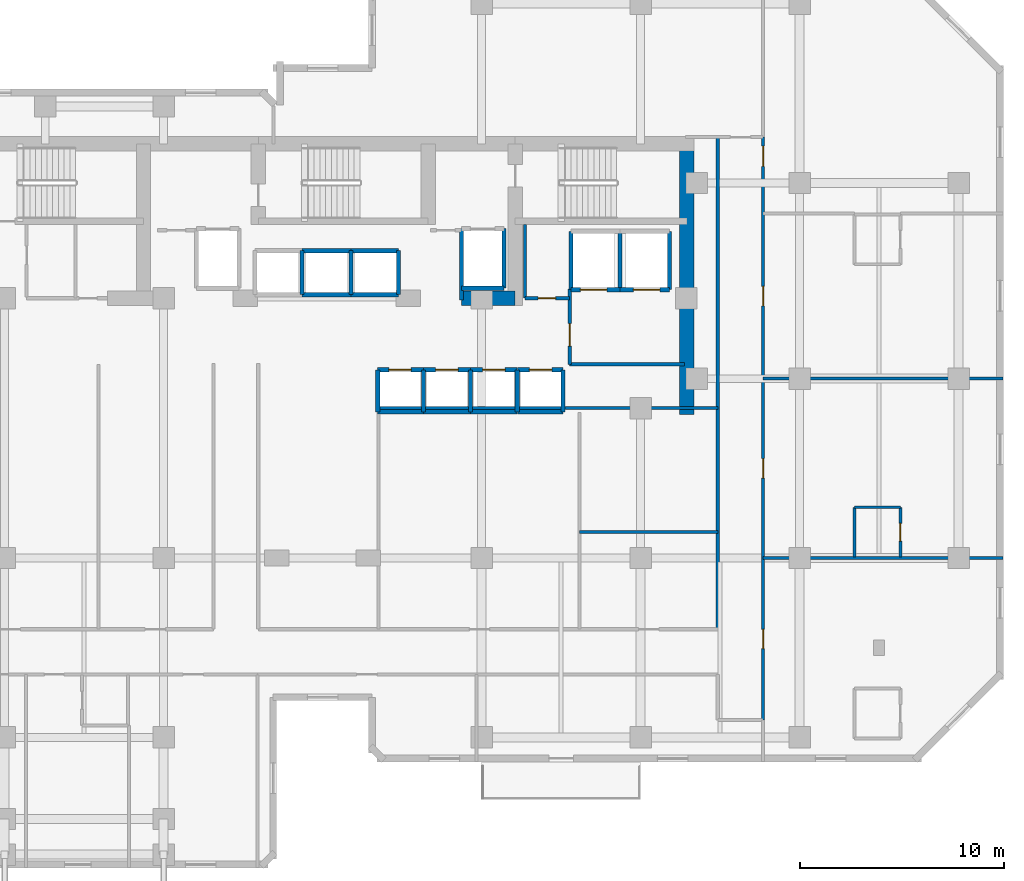
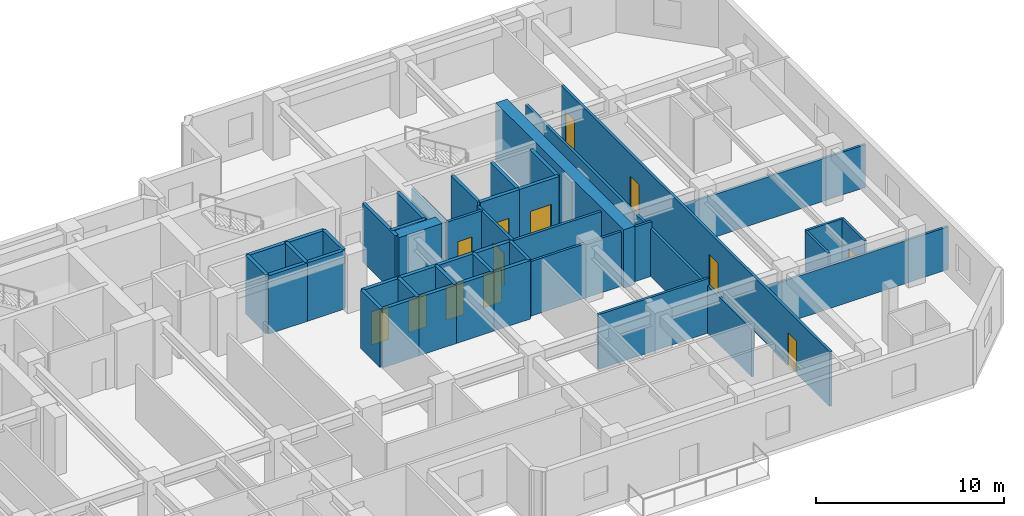
# One storey, part 7 of 11: 43 walls, 13 doors, 13 openings.
"""IFC4 building model written with IfcOpenShell, lengths in metres."""

from ifc_helpers import new_model, si_unit, direction, frame, frame_2d, origin, place, context, subcontext, project, spatial, rectangle, extrude, material, layer, layer_set, type_object, element, fill, save


model = new_model("IFC4")

# Units and contexts
model_context = context("Model", 3, precision=1e-05, world=origin(), true_north=direction((0.0, 1.0)))
body_context = subcontext(model_context, "Body", "Model", "MODEL_VIEW")
ifc_project = project(units=[si_unit("LENGTHUNIT", "METRE"), si_unit("AREAUNIT", "SQUARE_METRE"), si_unit("VOLUMEUNIT", "CUBIC_METRE"), si_unit("PLANEANGLEUNIT", "RADIAN"), si_unit("MASSUNIT", "GRAM", prefix="KILO")], contexts=[model_context])

# Site, building, storey
site_placement = place(None, origin())
site = spatial("IfcSite", under=ifc_project, at=site_placement, CompositionType="ELEMENT")
building_placement = place(site_placement, origin())
building = spatial("IfcBuilding", under=site, at=building_placement, Name="Kestravale Grand Hotel", CompositionType="ELEMENT")
storey_placement = place(building_placement, frame((0.0, 0.0, 161.199951171875)))
storey = spatial("IfcBuildingStorey", under=building, at=storey_placement, Name="L40", CompositionType="ELEMENT", Elevation=161.199951171875)

# Walls
ifc_material_1 = material(Name="Concrete f'c 60 MPa", Category="concrete")
ifc_layer_1 = layer(ifc_material_1, 0.699951171875)
ifc_layer_set_1 = layer_set([ifc_layer_1], Name="EW-CORE-700")
wall_type_1 = type_object("IfcWallType", Name="EW-CORE-700", PredefinedType="SHEAR", material=ifc_layer_set_1)
wall_1_placement = place(storey_placement, frame((56.8701171875, 27.050048828125, 0.0), z_axis=(0.0, 0.0, 1.0), x_axis=(0.0, 1.0, 0.0)))
element("IfcWall", 1, at=wall_1_placement, inside=storey, type_object=wall_type_1, Name="L40 core shear wall E1", PredefinedType="SHEAR", context=body_context, shape_type="SweptSolid", body=[
    extrude(rectangle(XDim=13.619873046875, YDim=0.699951171875, at=frame_2d((6.81005859375, 0.0))), origin(), (0.0, 0.0, 1.0), 3.800048828125),
])
wall_2_placement = place(storey_placement, frame((45.81005859375, 32.75, 0.0), z_axis=(0.0, 0.0, 1.0), x_axis=(1.0, 0.0, 0.0)))
element("IfcWall", 2, at=wall_2_placement, inside=storey, type_object=wall_type_1, Name="L40 core shear wall S2", PredefinedType="SHEAR", context=body_context, shape_type="SweptSolid", body=[
    extrude(rectangle(XDim=2.639892578125, YDim=0.699951171875, at=frame_2d((1.31982421875, 0.0))), origin(), (0.0, 0.0, 1.0), 3.800048828125),
])

# Wall, opening, door
ifc_material_2 = material(Name="Acoustic fire-rated gypsum board partition", Category="other")
ifc_layer_2 = layer(ifc_material_2, 0.159912109375)
ifc_layer_set_2 = layer_set([ifc_layer_2], Name="IW-CORR-160")
wall_type_2 = type_object("IfcWallType", Name="IW-CORR-160", PredefinedType="PARTITIONING", material=ifc_layer_set_2)
wall_3_placement = place(storey_placement, frame((51.1201171875, 29.5, 0.0), z_axis=(0.0, 0.0, 1.0), x_axis=(0.0, 1.0, 0.0)))
wall_3 = element("IfcWall", 3, at=wall_3_placement, inside=storey, type_object=wall_type_2, Name="W-L40-SVCLOB-W", PredefinedType="PARTITIONING", context=body_context, shape_type="SweptSolid", body=[
    extrude(rectangle(XDim=3.699951171875, YDim=0.159912109375, at=frame_2d((1.85009765625, 0.0))), origin(), (0.0, 0.0, 1.0), 3.550048828125),
])
opening_1_placement = place(wall_3_placement, frame((0.89990234375, 0.0, 0.0)))
opening_1 = element("IfcOpeningElement", 4, at=opening_1_placement, cuts=wall_3, Name="Opening D-CORR-1100", PredefinedType="OPENING", context=body_context, shape_type="SweptSolid", body=[
    extrude(rectangle(XDim=1.10009765625, YDim=2.14990234375, at=frame_2d((0.550048828125, 1.074951171875))), frame((0.0, 0.08984375, 0.0), z_axis=(0.0, -1.0, 0.0), x_axis=(1.0, 0.0, 0.0)), (0.0, 0.0, 1.0), 0.179931640625),
])
ifc_material_3 = material(Name="Single-leaf service vestibule fire door", Category="steel")
door_type_1 = type_object("IfcDoorType", Name="D-CORR-1100", OperationType="NOTDEFINED", PredefinedType="DOOR", material=ifc_material_3)
door_1_placement = place(opening_1_placement, origin())
door_1 = element("IfcDoor", 5, at=door_1_placement, inside=storey, type_object=door_type_1, Name="L40 service lift lobby door", OperationType="SINGLE_SWING_LEFT", OverallHeight=2.14990234375, OverallWidth=1.10009765625, PredefinedType="DOOR", context=body_context, shape_type="SweptSolid", body=[
    extrude(rectangle(XDim=1.10009765625, YDim=2.14990234375, at=frame_2d((0.550048828125, 1.074951171875))), frame((0.0, 0.02490234375, 0.0), z_axis=(0.0, -1.0, 0.0), x_axis=(1.0, 0.0, 0.0)), (0.0, 0.0, 1.0), 0.050048828125),
])
fill(opening_1, door_1)

# Wall
wall_4_placement = place(storey_placement, frame((51.1201171875, 29.5, 0.0), z_axis=(0.0, 0.0, 1.0), x_axis=(1.0, 0.0, 0.0)))
element("IfcWall", 6, at=wall_4_placement, inside=storey, type_object=wall_type_2, Name="L40 service lift lobby wall", PredefinedType="PARTITIONING", context=body_context, shape_type="SweptSolid", body=[
    extrude(rectangle(XDim=5.6298828125, YDim=0.159912109375, at=frame_2d((2.81494140625, 0.0))), origin(), (0.0, 0.0, 1.0), 3.550048828125),
])

# Wall, opening, door
wall_5_placement = place(storey_placement, frame((48.919921875, 32.75, 0.0), z_axis=(0.0, 0.0, 1.0), x_axis=(1.0, 0.0, 0.0)))
wall_5 = element("IfcWall", 7, at=wall_5_placement, inside=storey, type_object=wall_type_2, Name="W-L40-CES", PredefinedType="PARTITIONING", context=body_context, shape_type="SweptSolid", body=[
    extrude(rectangle(XDim=2.2001953125, YDim=0.159912109375, at=frame_2d((1.10009765625, 0.0))), origin(), (0.0, 0.0, 1.0), 3.550048828125),
])
opening_2_placement = place(wall_5_placement, frame((0.64990234375, 0.0, 0.0)))
opening_2 = element("IfcOpeningElement", 8, at=opening_2_placement, cuts=wall_5, Name="Opening D-SH-860", PredefinedType="OPENING", context=body_context, shape_type="SweptSolid", body=[
    extrude(rectangle(XDim=0.860107421875, YDim=2.050048828125, at=frame_2d((0.43017578125, 1.02490234375))), frame((0.0, 0.08984375, 0.0), z_axis=(0.0, -1.0, 0.0), x_axis=(1.0, 0.0, 0.0)), (0.0, 0.0, 1.0), 0.179931640625),
])
ifc_material_4 = material(Name="Galvanised 90-minute riser fire door", Category="steel")
door_type_2 = type_object("IfcDoorType", Name="D-SH-860", OperationType="NOTDEFINED", PredefinedType="DOOR", material=ifc_material_4)
door_2_placement = place(opening_2_placement, origin())
door_2 = element("IfcDoor", 9, at=door_2_placement, inside=storey, type_object=door_type_2, Name="L40 CSTO1 door", OperationType="SINGLE_SWING_RIGHT", OverallHeight=2.050048828125, OverallWidth=0.860107421875, PredefinedType="DOOR", context=body_context, shape_type="SweptSolid", body=[
    extrude(rectangle(XDim=0.860107421875, YDim=2.050048828125, at=frame_2d((0.43017578125, 1.02490234375))), frame((0.0, 0.02490234375, 0.0), z_axis=(0.0, -1.0, 0.0), x_axis=(1.0, 0.0, 0.0)), (0.0, 0.0, 1.0), 0.050048828125),
])
fill(opening_2, door_2)

# Wall, openings, doors
wall_6_placement = place(storey_placement, frame((60.610107421875, 12.050048828125, 0.0), z_axis=(0.0, 0.0, 1.0), x_axis=(0.0, 1.0, 0.0)))
wall_6 = element("IfcWall", 10, at=wall_6_placement, inside=storey, type_object=wall_type_2, Name="W-L40-SE-E", PredefinedType="PARTITIONING", context=body_context, shape_type="SweptSolid", body=[
    extrude(rectangle(XDim=28.599853515625, YDim=0.159912109375, at=frame_2d((14.2998046875, 0.0))), origin(), (0.0, 0.0, 1.0), 3.550048828125),
])
opening_3_placement = place(wall_6_placement, frame((3.5, 0.0, 0.0)))
opening_3 = element("IfcOpeningElement", 11, at=opening_3_placement, cuts=wall_6, Name="Opening D-GUEST-950", PredefinedType="OPENING", context=body_context, shape_type="SweptSolid", body=[
    extrude(rectangle(XDim=0.949951171875, YDim=2.10009765625, at=frame_2d((0.47509765625, 1.050048828125))), frame((0.0, 0.08984375, 0.0), z_axis=(0.0, -1.0, 0.0), x_axis=(1.0, 0.0, 0.0)), (0.0, 0.0, 1.0), 0.179931640625),
])
opening_4_placement = place(wall_6_placement, frame((11.875, 0.0, 0.0)))
opening_4 = element("IfcOpeningElement", 12, at=opening_4_placement, cuts=wall_6, Name="Opening D-GUEST-950", PredefinedType="OPENING", context=body_context, shape_type="SweptSolid", body=[
    extrude(rectangle(XDim=0.949951171875, YDim=2.10009765625, at=frame_2d((0.47509765625, 1.050048828125))), frame((0.0, 0.08984375, 0.0), z_axis=(0.0, -1.0, 0.0), x_axis=(1.0, 0.0, 0.0)), (0.0, 0.0, 1.0), 0.179931640625),
])
opening_5_placement = place(wall_6_placement, frame((20.324951171875, 0.0, 0.0)))
opening_5 = element("IfcOpeningElement", 13, at=opening_5_placement, cuts=wall_6, Name="Opening D-GUEST-950", PredefinedType="OPENING", context=body_context, shape_type="SweptSolid", body=[
    extrude(rectangle(XDim=0.949951171875, YDim=2.10009765625, at=frame_2d((0.47509765625, 1.050048828125))), frame((0.0, 0.08984375, 0.0), z_axis=(0.0, -1.0, 0.0), x_axis=(1.0, 0.0, 0.0)), (0.0, 0.0, 1.0), 0.179931640625),
])
opening_6_placement = place(wall_6_placement, frame((27.159912109375, 0.0, 0.0)))
opening_6 = element("IfcOpeningElement", 14, at=opening_6_placement, cuts=wall_6, Name="Opening D-GUEST-1000", PredefinedType="OPENING", context=body_context, shape_type="SweptSolid", body=[
    extrude(rectangle(XDim=1.0, YDim=2.14990234375, at=frame_2d((0.5, 1.074951171875))), frame((0.0, 0.08984375, 0.0), z_axis=(0.0, -1.0, 0.0), x_axis=(1.0, 0.0, 0.0)), (0.0, 0.0, 1.0), 0.179931640625),
])
ifc_material_5 = material(Name="Accessible walnut veneer hotel entrance fire door", Category="wood")
door_type_3 = type_object("IfcDoorType", Name="D-GUEST-1000", OperationType="NOTDEFINED", PredefinedType="DOOR", material=ifc_material_5)
door_3_placement = place(opening_6_placement, origin())
door_3 = element("IfcDoor", 15, at=door_3_placement, inside=storey, type_object=door_type_3, Name="D-L40-AMEW", OperationType="SINGLE_SWING_RIGHT", OverallHeight=2.14990234375, OverallWidth=1.0, PredefinedType="DOOR", context=body_context, shape_type="SweptSolid", body=[
    extrude(rectangle(XDim=1.0, YDim=2.14990234375, at=frame_2d((0.5, 1.074951171875))), frame((0.0, 0.02490234375, 0.0), z_axis=(0.0, -1.0, 0.0), x_axis=(1.0, 0.0, 0.0)), (0.0, 0.0, 1.0), 0.050048828125),
])
fill(opening_6, door_3)
ifc_material_6 = material(Name="Walnut veneer hotel guestroom entrance fire door", Category="wood")
door_type_4 = type_object("IfcDoorType", Name="D-GUEST-950", OperationType="NOTDEFINED", PredefinedType="DOOR", material=ifc_material_6)
door_4_placement = place(opening_3_placement, origin())
door_4 = element("IfcDoor", 16, at=door_4_placement, inside=storey, type_object=door_type_4, Name="D-L40-U06-ENT", OperationType="SINGLE_SWING_LEFT", OverallHeight=2.10009765625, OverallWidth=0.949951171875, PredefinedType="DOOR", context=body_context, shape_type="SweptSolid", body=[
    extrude(rectangle(XDim=0.949951171875, YDim=2.10009765625, at=frame_2d((0.47509765625, 1.050048828125))), frame((0.0, 0.02490234375, 0.0), z_axis=(0.0, -1.0, 0.0), x_axis=(1.0, 0.0, 0.0)), (0.0, 0.0, 1.0), 0.050048828125),
])
fill(opening_3, door_4)
door_5_placement = place(opening_4_placement, origin())
door_5 = element("IfcDoor", 17, at=door_5_placement, inside=storey, type_object=door_type_4, Name="D-L40-U07-ENT", OperationType="SINGLE_SWING_LEFT", OverallHeight=2.10009765625, OverallWidth=0.949951171875, PredefinedType="DOOR", context=body_context, shape_type="SweptSolid", body=[
    extrude(rectangle(XDim=0.949951171875, YDim=2.10009765625, at=frame_2d((0.47509765625, 1.050048828125))), frame((0.0, 0.02490234375, 0.0), z_axis=(0.0, -1.0, 0.0), x_axis=(1.0, 0.0, 0.0)), (0.0, 0.0, 1.0), 0.050048828125),
])
fill(opening_4, door_5)
door_6_placement = place(opening_5_placement, origin())
door_6 = element("IfcDoor", 18, at=door_6_placement, inside=storey, type_object=door_type_4, Name="D-L40-U08-ENT", OperationType="SINGLE_SWING_LEFT", OverallHeight=2.10009765625, OverallWidth=0.949951171875, PredefinedType="DOOR", context=body_context, shape_type="SweptSolid", body=[
    extrude(rectangle(XDim=0.949951171875, YDim=2.10009765625, at=frame_2d((0.47509765625, 1.050048828125))), frame((0.0, 0.02490234375, 0.0), z_axis=(0.0, -1.0, 0.0), x_axis=(1.0, 0.0, 0.0)), (0.0, 0.0, 1.0), 0.050048828125),
])
fill(opening_5, door_6)

# Walls
wall_7_placement = place(storey_placement, frame((58.389892578125, 16.510009765625, 0.0), z_axis=(0.0, 0.0, 1.0), x_axis=(0.0, 1.0, 0.0)))
element("IfcWall", 19, at=wall_7_placement, inside=storey, type_object=wall_type_2, Name="W-L40-SE-WU", PredefinedType="PARTITIONING", context=body_context, shape_type="SweptSolid", body=[
    extrude(rectangle(XDim=24.139892578125, YDim=0.159912109375, at=frame_2d((12.06982421875, 0.0))), origin(), (0.0, 0.0, 1.0), 3.093017578125),
])
ifc_material_7 = material(Name="Moisture-resistant tile-backer plumbing chase wall", Category="other")
ifc_layer_3 = layer(ifc_material_7, 0.139892578125)
ifc_layer_set_3 = layer_set([ifc_layer_3], Name="IW-PLB-140")
wall_type_3 = type_object("IfcWallType", Name="IW-PLB-140", PredefinedType="PLUMBINGWALL", material=ifc_layer_set_3)
wall_8_placement = place(storey_placement, frame((65.10009765625, 20.0400390625, 0.0), z_axis=(0.0, 0.0, 1.0), x_axis=(0.0, 1.0, 0.0)))
element("IfcWall", 20, at=wall_8_placement, inside=storey, type_object=wall_type_3, Name="W-L40-U07-BW", PredefinedType="PLUMBINGWALL", context=body_context, shape_type="SweptSolid", body=[
    extrude(rectangle(XDim=2.449951171875, YDim=0.139892578125, at=frame_2d((1.22509765625, 0.0))), origin(), (0.0, 0.0, 1.0), 3.550048828125),
])

# Wall, opening, door
wall_9_placement = place(storey_placement, frame((67.35009765625, 20.0400390625, 0.0), z_axis=(0.0, 0.0, 1.0), x_axis=(0.0, 1.0, 0.0)))
wall_9 = element("IfcWall", 21, at=wall_9_placement, inside=storey, type_object=wall_type_3, Name="W-L40-U07-BE", PredefinedType="PLUMBINGWALL", context=body_context, shape_type="SweptSolid", body=[
    extrude(rectangle(XDim=2.449951171875, YDim=0.139892578125, at=frame_2d((1.22509765625, 0.0))), origin(), (0.0, 0.0, 1.0), 3.550048828125),
])
opening_7_placement = place(wall_9_placement, frame((0.784912109375, 0.0, 0.0)))
opening_7 = element("IfcOpeningElement", 22, at=opening_7_placement, cuts=wall_9, Name="Opening D-BATH-880", PredefinedType="OPENING", context=body_context, shape_type="SweptSolid", body=[
    extrude(rectangle(XDim=0.8798828125, YDim=2.050048828125, at=frame_2d((0.43994140625, 1.02490234375))), frame((0.0, 0.079833984375, 0.0), z_axis=(0.0, -1.0, 0.0), x_axis=(1.0, 0.0, 0.0)), (0.0, 0.0, 1.0), 0.159912109375),
])
ifc_material_8 = material(Name="Moisture-sealed walnut en-suite bathroom door", Category="wood")
door_type_5 = type_object("IfcDoorType", Name="D-BATH-880", OperationType="NOTDEFINED", PredefinedType="DOOR", material=ifc_material_8)
door_7_placement = place(opening_7_placement, origin())
door_7 = element("IfcDoor", 23, at=door_7_placement, inside=storey, type_object=door_type_5, Name="D-L40-U07-BATH", OperationType="SINGLE_SWING_RIGHT", OverallHeight=2.050048828125, OverallWidth=0.8798828125, PredefinedType="DOOR", context=body_context, shape_type="SweptSolid", body=[
    extrude(rectangle(XDim=0.8798828125, YDim=2.050048828125, at=frame_2d((0.43994140625, 1.02490234375))), frame((0.0, 0.02490234375, 0.0), z_axis=(0.0, -1.0, 0.0), x_axis=(1.0, 0.0, 0.0)), (0.0, 0.0, 1.0), 0.050048828125),
])
fill(opening_7, door_7)

# Walls
wall_10_placement = place(storey_placement, frame((65.10009765625, 22.489990234375, 0.0), z_axis=(0.0, 0.0, 1.0), x_axis=(1.0, 0.0, 0.0)))
element("IfcWall", 24, at=wall_10_placement, inside=storey, type_object=wall_type_3, Name="W-L40-U07-BN", PredefinedType="PLUMBINGWALL", context=body_context, shape_type="SweptSolid", body=[
    extrude(rectangle(XDim=2.25, YDim=0.139892578125, at=frame_2d((1.125, 0.0))), origin(), (0.0, 0.0, 1.0), 3.550048828125),
])
ifc_material_9 = material(Name="Concrete f'c 45 MPa", Category="concrete")
ifc_layer_4 = layer(ifc_material_9, 0.199951171875)
ifc_layer_set_4 = layer_set([ifc_layer_4], Name="IW-SHAFT-200")
wall_type_4 = type_object("IfcWallType", Name="IW-SHAFT-200", PredefinedType="SHEAR", material=ifc_layer_set_4)
for number, where, z_axis, x_axis, name in (
    (25, (41.705078125, 27.169921875, 0.0), (0.0, 0.0, 1.0), (0.0, 1.0, 0.0), "L40 PL-M1 west shaft wall"),
    (26, (43.949951171875, 27.169921875, 0.0), (0.0, 0.0, 1.0), (0.0, 1.0, 0.0), "L40 PL-M2 west shaft wall"),
    (27, (46.25, 27.169921875, 0.0), (0.0, 0.0, 1.0), (0.0, 1.0, 0.0), "L40 PL-M3 west shaft wall"),
    (28, (48.550048828125, 27.169921875, 0.0), (0.0, 0.0, 1.0), (0.0, 1.0, 0.0), "L40 PL-M4 west shaft wall"),
    (29, (50.794921875, 27.169921875, 0.0), (0.0, 0.0, 1.0), (0.0, 1.0, 0.0), "L40 PL-M4 east shaft wall"),
):
    element("IfcWall", number, at=place(storey_placement, frame(where, z_axis=z_axis, x_axis=x_axis)), inside=storey, type_object=wall_type_4, Name=name, PredefinedType="SHEAR", context=body_context, shape_type="SweptSolid", body=[
        extrude(rectangle(XDim=2.06005859375, YDim=0.199951171875, at=frame_2d((1.030029296875, 0.0))), origin(), (0.0, 0.0, 1.0), 3.800048828125),
    ])
for number, where, z_axis, x_axis, name in (
    (30, (38.0, 32.919921875, 0.0), (0.0, 0.0, 1.0), (0.0, 1.0, 0.0), "L40 PL-X2 west shaft wall"),
    (31, (40.39990234375, 32.919921875, 0.0), (0.0, 0.0, 1.0), (0.0, 1.0, 0.0), "L40 PL-X3 west shaft wall"),
    (32, (42.719970703125, 32.919921875, 0.0), (0.0, 0.0, 1.0), (0.0, 1.0, 0.0), "L40 PL-X3 east shaft wall"),
):
    element("IfcWall", number, at=place(storey_placement, frame(where, z_axis=z_axis, x_axis=x_axis)), inside=storey, type_object=wall_type_4, Name=name, PredefinedType="SHEAR", context=body_context, shape_type="SweptSolid", body=[
        extrude(rectangle(XDim=2.16015625, YDim=0.199951171875, at=frame_2d((1.080078125, 0.0))), origin(), (0.0, 0.0, 1.0), 3.800048828125),
    ])
for number, where, z_axis, x_axis, name in (
    (33, (51.179931640625, 33.169921875, 0.0), (0.0, 0.0, 1.0), (0.0, 1.0, 0.0), "L40 SL-1 west shaft wall"),
    (34, (53.60009765625, 33.169921875, 0.0), (0.0, 0.0, 1.0), (0.0, 1.0, 0.0), "L40 SL-2 west shaft wall"),
    (35, (56.02001953125, 33.169921875, 0.0), (0.0, 0.0, 1.0), (0.0, 1.0, 0.0), "L40 SL-2 east shaft wall"),
):
    element("IfcWall", number, at=place(storey_placement, frame(where, z_axis=z_axis, x_axis=x_axis)), inside=storey, type_object=wall_type_4, Name=name, PredefinedType="SHEAR", context=body_context, shape_type="SweptSolid", body=[
        extrude(rectangle(XDim=2.860107421875, YDim=0.199951171875, at=frame_2d((1.43017578125, 0.0))), origin(), (0.0, 0.0, 1.0), 3.800048828125),
    ])
wall_11_placement = place(storey_placement, frame((45.804931640625, 32.64990234375, 0.0), z_axis=(0.0, 0.0, 1.0), x_axis=(0.0, 1.0, 0.0)))
element("IfcWall", 36, at=wall_11_placement, inside=storey, type_object=wall_type_4, Name="L40 FL-2 west shaft wall", PredefinedType="SHEAR", context=body_context, shape_type="SweptSolid", body=[
    extrude(rectangle(XDim=3.505126953125, YDim=0.199951171875, at=frame_2d((1.75244140625, 0.0))), origin(), (0.0, 0.0, 1.0), 3.800048828125),
])
wall_12_placement = place(storey_placement, frame((47.89501953125, 33.2451171875, 0.0), z_axis=(0.0, 0.0, 1.0), x_axis=(0.0, 1.0, 0.0)))
element("IfcWall", 37, at=wall_12_placement, inside=storey, type_object=wall_type_4, Name="L40 FL-2 east shaft wall", PredefinedType="SHEAR", context=body_context, shape_type="SweptSolid", body=[
    extrude(rectangle(XDim=2.909912109375, YDim=0.199951171875, at=frame_2d((1.455078125, 0.0))), origin(), (0.0, 0.0, 1.0), 3.800048828125),
])

# Wall, opening, door
ifc_material_10 = material(Name="Concrete f'c 45 MPa", Category="concrete")
ifc_layer_5 = layer(ifc_material_10, 0.219970703125)
ifc_layer_set_5 = layer_set([ifc_layer_5], Name="IW-SHAFT-220")
wall_type_5 = type_object("IfcWallType", Name="IW-SHAFT-220", PredefinedType="SHEAR", material=ifc_layer_set_5)
wall_13_placement = place(storey_placement, frame((41.705078125, 29.22998046875, 0.0), z_axis=(0.0, 0.0, 1.0), x_axis=(1.0, 0.0, 0.0)))
wall_13 = element("IfcWall", 38, at=wall_13_placement, inside=storey, type_object=wall_type_5, Name="L40 PL-M1 north shaft wall", PredefinedType="SHEAR", context=body_context, shape_type="SweptSolid", body=[
    extrude(rectangle(XDim=2.244873046875, YDim=0.219970703125, at=frame_2d((1.12255859375, 0.0))), origin(), (0.0, 0.0, 1.0), 3.800048828125),
])
opening_8_placement = place(wall_13_placement, frame((0.544921875, 0.0, 0.0)))
opening_8 = element("IfcOpeningElement", 39, at=opening_8_placement, cuts=wall_13, Name="Opening LD-PAX-1100", PredefinedType="OPENING", context=body_context, shape_type="SweptSolid", body=[
    extrude(rectangle(XDim=1.10009765625, YDim=2.14990234375, at=frame_2d((0.550048828125, 1.074951171875))), frame((0.0, 0.119873046875, 0.0), z_axis=(0.0, -1.0, 0.0), x_axis=(1.0, 0.0, 0.0)), (0.0, 0.0, 1.0), 0.239990234375),
])
ifc_material_11 = material(Name="Champagne-bronze center-opening sliding elevator landing door", Category="steel")
door_type_6 = type_object("IfcDoorType", Name="LD-PAX-1100", OperationType="NOTDEFINED", PredefinedType="DOOR", material=ifc_material_11)
door_8_placement = place(opening_8_placement, origin())
door_8 = element("IfcDoor", 40, at=door_8_placement, inside=storey, type_object=door_type_6, Name="L40 PL-M1 elevator landing sliding door", OperationType="DOUBLE_DOOR_SLIDING", OverallHeight=2.14990234375, OverallWidth=1.10009765625, PredefinedType="DOOR", context=body_context, shape_type="SweptSolid", body=[
    extrude(rectangle(XDim=1.10009765625, YDim=2.14990234375, at=frame_2d((0.550048828125, 1.074951171875))), frame((0.0, 0.02490234375, 0.0), z_axis=(0.0, -1.0, 0.0), x_axis=(1.0, 0.0, 0.0)), (0.0, 0.0, 1.0), 0.050048828125),
])
fill(opening_8, door_8)

# Wall
wall_14_placement = place(storey_placement, frame((41.705078125, 27.169921875, 0.0), z_axis=(0.0, 0.0, 1.0), x_axis=(1.0, 0.0, 0.0)))
element("IfcWall", 41, at=wall_14_placement, inside=storey, type_object=wall_type_5, Name="L40 PL-M1 south shaft wall", PredefinedType="SHEAR", context=body_context, shape_type="SweptSolid", body=[
    extrude(rectangle(XDim=2.244873046875, YDim=0.219970703125, at=frame_2d((1.12255859375, 0.0))), origin(), (0.0, 0.0, 1.0), 3.800048828125),
])

# Wall, opening, door
wall_15_placement = place(storey_placement, frame((43.949951171875, 29.22998046875, 0.0), z_axis=(0.0, 0.0, 1.0), x_axis=(1.0, 0.0, 0.0)))
wall_15 = element("IfcWall", 42, at=wall_15_placement, inside=storey, type_object=wall_type_5, Name="L40 PL-M2 north shaft wall", PredefinedType="SHEAR", context=body_context, shape_type="SweptSolid", body=[
    extrude(rectangle(XDim=2.300048828125, YDim=0.219970703125, at=frame_2d((1.14990234375, 0.0))), origin(), (0.0, 0.0, 1.0), 3.800048828125),
])
opening_9_placement = place(wall_15_placement, frame((0.60009765625, 0.0, 0.0)))
opening_9 = element("IfcOpeningElement", 43, at=opening_9_placement, cuts=wall_15, Name="Opening LD-PAX-1100", PredefinedType="OPENING", context=body_context, shape_type="SweptSolid", body=[
    extrude(rectangle(XDim=1.10009765625, YDim=2.14990234375, at=frame_2d((0.550048828125, 1.074951171875))), frame((0.0, 0.119873046875, 0.0), z_axis=(0.0, -1.0, 0.0), x_axis=(1.0, 0.0, 0.0)), (0.0, 0.0, 1.0), 0.239990234375),
])
door_9_placement = place(opening_9_placement, origin())
door_9 = element("IfcDoor", 44, at=door_9_placement, inside=storey, type_object=door_type_6, Name="L40 PL-M2 elevator landing sliding door", OperationType="DOUBLE_DOOR_SLIDING", OverallHeight=2.14990234375, OverallWidth=1.10009765625, PredefinedType="DOOR", context=body_context, shape_type="SweptSolid", body=[
    extrude(rectangle(XDim=1.10009765625, YDim=2.14990234375, at=frame_2d((0.550048828125, 1.074951171875))), frame((0.0, 0.02490234375, 0.0), z_axis=(0.0, -1.0, 0.0), x_axis=(1.0, 0.0, 0.0)), (0.0, 0.0, 1.0), 0.050048828125),
])
fill(opening_9, door_9)

# Wall
wall_16_placement = place(storey_placement, frame((43.949951171875, 27.169921875, 0.0), z_axis=(0.0, 0.0, 1.0), x_axis=(1.0, 0.0, 0.0)))
element("IfcWall", 45, at=wall_16_placement, inside=storey, type_object=wall_type_5, Name="L40 PL-M2 south shaft wall", PredefinedType="SHEAR", context=body_context, shape_type="SweptSolid", body=[
    extrude(rectangle(XDim=2.300048828125, YDim=0.219970703125, at=frame_2d((1.14990234375, 0.0))), origin(), (0.0, 0.0, 1.0), 3.800048828125),
])

# Wall, opening, door
wall_17_placement = place(storey_placement, frame((46.25, 29.22998046875, 0.0), z_axis=(0.0, 0.0, 1.0), x_axis=(1.0, 0.0, 0.0)))
wall_17 = element("IfcWall", 46, at=wall_17_placement, inside=storey, type_object=wall_type_5, Name="L40 PL-M3 north shaft wall", PredefinedType="SHEAR", context=body_context, shape_type="SweptSolid", body=[
    extrude(rectangle(XDim=2.300048828125, YDim=0.219970703125, at=frame_2d((1.14990234375, 0.0))), origin(), (0.0, 0.0, 1.0), 3.800048828125),
])
opening_10_placement = place(wall_17_placement, frame((0.60009765625, 0.0, 0.0)))
opening_10 = element("IfcOpeningElement", 47, at=opening_10_placement, cuts=wall_17, Name="Opening LD-PAX-1100", PredefinedType="OPENING", context=body_context, shape_type="SweptSolid", body=[
    extrude(rectangle(XDim=1.10009765625, YDim=2.14990234375, at=frame_2d((0.550048828125, 1.074951171875))), frame((0.0, 0.119873046875, 0.0), z_axis=(0.0, -1.0, 0.0), x_axis=(1.0, 0.0, 0.0)), (0.0, 0.0, 1.0), 0.239990234375),
])
door_10_placement = place(opening_10_placement, origin())
door_10 = element("IfcDoor", 48, at=door_10_placement, inside=storey, type_object=door_type_6, Name="L40 PL-M3 elevator landing sliding door", OperationType="DOUBLE_DOOR_SLIDING", OverallHeight=2.14990234375, OverallWidth=1.10009765625, PredefinedType="DOOR", context=body_context, shape_type="SweptSolid", body=[
    extrude(rectangle(XDim=1.10009765625, YDim=2.14990234375, at=frame_2d((0.550048828125, 1.074951171875))), frame((0.0, 0.02490234375, 0.0), z_axis=(0.0, -1.0, 0.0), x_axis=(1.0, 0.0, 0.0)), (0.0, 0.0, 1.0), 0.050048828125),
])
fill(opening_10, door_10)

# Wall
wall_18_placement = place(storey_placement, frame((46.25, 27.169921875, 0.0), z_axis=(0.0, 0.0, 1.0), x_axis=(1.0, 0.0, 0.0)))
element("IfcWall", 49, at=wall_18_placement, inside=storey, type_object=wall_type_5, Name="L40 PL-M3 south shaft wall", PredefinedType="SHEAR", context=body_context, shape_type="SweptSolid", body=[
    extrude(rectangle(XDim=2.300048828125, YDim=0.219970703125, at=frame_2d((1.14990234375, 0.0))), origin(), (0.0, 0.0, 1.0), 3.800048828125),
])

# Wall, opening, door
wall_19_placement = place(storey_placement, frame((48.550048828125, 29.22998046875, 0.0), z_axis=(0.0, 0.0, 1.0), x_axis=(1.0, 0.0, 0.0)))
wall_19 = element("IfcWall", 50, at=wall_19_placement, inside=storey, type_object=wall_type_5, Name="L40 PL-M4 north shaft wall", PredefinedType="SHEAR", context=body_context, shape_type="SweptSolid", body=[
    extrude(rectangle(XDim=2.244873046875, YDim=0.219970703125, at=frame_2d((1.12255859375, 0.0))), origin(), (0.0, 0.0, 1.0), 3.800048828125),
])
opening_11_placement = place(wall_19_placement, frame((0.60009765625, 0.0, 0.0)))
opening_11 = element("IfcOpeningElement", 51, at=opening_11_placement, cuts=wall_19, Name="Opening LD-PAX-1100", PredefinedType="OPENING", context=body_context, shape_type="SweptSolid", body=[
    extrude(rectangle(XDim=1.10009765625, YDim=2.14990234375, at=frame_2d((0.550048828125, 1.074951171875))), frame((0.0, 0.119873046875, 0.0), z_axis=(0.0, -1.0, 0.0), x_axis=(1.0, 0.0, 0.0)), (0.0, 0.0, 1.0), 0.239990234375),
])
door_11_placement = place(opening_11_placement, origin())
door_11 = element("IfcDoor", 52, at=door_11_placement, inside=storey, type_object=door_type_6, Name="L40 PL-M4 elevator landing sliding door", OperationType="DOUBLE_DOOR_SLIDING", OverallHeight=2.14990234375, OverallWidth=1.10009765625, PredefinedType="DOOR", context=body_context, shape_type="SweptSolid", body=[
    extrude(rectangle(XDim=1.10009765625, YDim=2.14990234375, at=frame_2d((0.550048828125, 1.074951171875))), frame((0.0, 0.02490234375, 0.0), z_axis=(0.0, -1.0, 0.0), x_axis=(1.0, 0.0, 0.0)), (0.0, 0.0, 1.0), 0.050048828125),
])
fill(opening_11, door_11)

# Walls
wall_20_placement = place(storey_placement, frame((48.550048828125, 27.169921875, 0.0), z_axis=(0.0, 0.0, 1.0), x_axis=(1.0, 0.0, 0.0)))
element("IfcWall", 53, at=wall_20_placement, inside=storey, type_object=wall_type_5, Name="L40 PL-M4 south shaft wall", PredefinedType="SHEAR", context=body_context, shape_type="SweptSolid", body=[
    extrude(rectangle(XDim=2.244873046875, YDim=0.219970703125, at=frame_2d((1.12255859375, 0.0))), origin(), (0.0, 0.0, 1.0), 3.800048828125),
])
for number, where, z_axis, x_axis, name in (
    (54, (38.0, 35.080078125, 0.0), (0.0, 0.0, 1.0), (1.0, 0.0, 0.0), "L40 PL-X2 north shaft wall"),
    (55, (38.0, 32.919921875, 0.0), (0.0, 0.0, 1.0), (1.0, 0.0, 0.0), "L40 PL-X2 south shaft wall"),
):
    element("IfcWall", number, at=place(storey_placement, frame(where, z_axis=z_axis, x_axis=x_axis)), inside=storey, type_object=wall_type_5, Name=name, PredefinedType="SHEAR", context=body_context, shape_type="SweptSolid", body=[
        extrude(rectangle(XDim=2.39990234375, YDim=0.219970703125, at=frame_2d((1.199951171875, 0.0))), origin(), (0.0, 0.0, 1.0), 3.800048828125),
    ])
for number, where, z_axis, x_axis, name in (
    (56, (40.39990234375, 35.080078125, 0.0), (0.0, 0.0, 1.0), (1.0, 0.0, 0.0), "L40 PL-X3 north shaft wall"),
    (57, (40.39990234375, 32.919921875, 0.0), (0.0, 0.0, 1.0), (1.0, 0.0, 0.0), "L40 PL-X3 south shaft wall"),
):
    element("IfcWall", number, at=place(storey_placement, frame(where, z_axis=z_axis, x_axis=x_axis)), inside=storey, type_object=wall_type_5, Name=name, PredefinedType="SHEAR", context=body_context, shape_type="SweptSolid", body=[
        extrude(rectangle(XDim=2.320068359375, YDim=0.219970703125, at=frame_2d((1.16015625, 0.0))), origin(), (0.0, 0.0, 1.0), 3.800048828125),
    ])

# Wall, opening, door
wall_21_placement = place(storey_placement, frame((51.179931640625, 33.169921875, 0.0), z_axis=(0.0, 0.0, 1.0), x_axis=(1.0, 0.0, 0.0)))
wall_21 = element("IfcWall", 58, at=wall_21_placement, inside=storey, type_object=wall_type_5, Name="L40 SL-1 south shaft wall", PredefinedType="SHEAR", context=body_context, shape_type="SweptSolid", body=[
    extrude(rectangle(XDim=2.420166015625, YDim=0.219970703125, at=frame_2d((1.2099609375, 0.0))), origin(), (0.0, 0.0, 1.0), 3.800048828125),
])
opening_12_placement = place(wall_21_placement, frame((0.469970703125, 0.0, 0.0)))
opening_12 = element("IfcOpeningElement", 59, at=opening_12_placement, cuts=wall_21, Name="Opening LD-SVC-1300", PredefinedType="OPENING", context=body_context, shape_type="SweptSolid", body=[
    extrude(rectangle(XDim=1.300048828125, YDim=2.14990234375, at=frame_2d((0.64990234375, 1.074951171875))), frame((0.0, 0.119873046875, 0.0), z_axis=(0.0, -1.0, 0.0), x_axis=(1.0, 0.0, 0.0)), (0.0, 0.0, 1.0), 0.239990234375),
])
ifc_material_12 = material(Name="Heavy-duty service sliding elevator landing door", Category="steel")
door_type_7 = type_object("IfcDoorType", Name="LD-SVC-1300", OperationType="NOTDEFINED", PredefinedType="DOOR", material=ifc_material_12)
door_12_placement = place(opening_12_placement, origin())
door_12 = element("IfcDoor", 60, at=door_12_placement, inside=storey, type_object=door_type_7, Name="L40 SL-1 elevator landing sliding door", OperationType="DOUBLE_DOOR_SLIDING", OverallHeight=2.14990234375, OverallWidth=1.300048828125, PredefinedType="DOOR", context=body_context, shape_type="SweptSolid", body=[
    extrude(rectangle(XDim=1.300048828125, YDim=2.14990234375, at=frame_2d((0.64990234375, 1.074951171875))), frame((0.0, 0.02490234375, 0.0), z_axis=(0.0, -1.0, 0.0), x_axis=(1.0, 0.0, 0.0)), (0.0, 0.0, 1.0), 0.050048828125),
])
fill(opening_12, door_12)

wall_22_placement = place(storey_placement, frame((53.60009765625, 33.169921875, 0.0), z_axis=(0.0, 0.0, 1.0), x_axis=(1.0, 0.0, 0.0)))
wall_22 = element("IfcWall", 61, at=wall_22_placement, inside=storey, type_object=wall_type_5, Name="L40 SL-2 south shaft wall", PredefinedType="SHEAR", context=body_context, shape_type="SweptSolid", body=[
    extrude(rectangle(XDim=2.419921875, YDim=0.219970703125, at=frame_2d((1.2099609375, 0.0))), origin(), (0.0, 0.0, 1.0), 3.800048828125),
])
opening_13_placement = place(wall_22_placement, frame((0.64990234375, 0.0, 0.0)))
opening_13 = element("IfcOpeningElement", 62, at=opening_13_placement, cuts=wall_22, Name="Opening LD-SVC-1300", PredefinedType="OPENING", context=body_context, shape_type="SweptSolid", body=[
    extrude(rectangle(XDim=1.300048828125, YDim=2.14990234375, at=frame_2d((0.64990234375, 1.074951171875))), frame((0.0, 0.119873046875, 0.0), z_axis=(0.0, -1.0, 0.0), x_axis=(1.0, 0.0, 0.0)), (0.0, 0.0, 1.0), 0.239990234375),
])
door_13_placement = place(opening_13_placement, origin())
door_13 = element("IfcDoor", 63, at=door_13_placement, inside=storey, type_object=door_type_7, Name="L40 SL-2 elevator landing sliding door", OperationType="DOUBLE_DOOR_SLIDING", OverallHeight=2.14990234375, OverallWidth=1.300048828125, PredefinedType="DOOR", context=body_context, shape_type="SweptSolid", body=[
    extrude(rectangle(XDim=1.300048828125, YDim=2.14990234375, at=frame_2d((0.64990234375, 1.074951171875))), frame((0.0, 0.02490234375, 0.0), z_axis=(0.0, -1.0, 0.0), x_axis=(1.0, 0.0, 0.0)), (0.0, 0.0, 1.0), 0.050048828125),
])
fill(opening_13, door_13)

# Walls
wall_23_placement = place(storey_placement, frame((45.804931640625, 33.2451171875, 0.0), z_axis=(0.0, 0.0, 1.0), x_axis=(1.0, 0.0, 0.0)))
element("IfcWall", 64, at=wall_23_placement, inside=storey, type_object=wall_type_5, Name="L40 FL-2 south shaft wall", PredefinedType="SHEAR", context=body_context, shape_type="SweptSolid", body=[
    extrude(rectangle(XDim=2.090087890625, YDim=0.219970703125, at=frame_2d((1.044921875, 0.0))), origin(), (0.0, 0.0, 1.0), 3.800048828125),
])
ifc_material_13 = material(Name="Double-stud STC 52 acoustic demising partition", Category="other")
ifc_layer_6 = layer(ifc_material_13, 0.14990234375)
ifc_layer_set_6 = layer_set([ifc_layer_6], Name="IW-UNIT-150")
wall_type_6 = type_object("IfcWallType", Name="IW-UNIT-150", PredefinedType="PARTITIONING", material=ifc_layer_set_6)
wall_24_placement = place(storey_placement, frame((48.919921875, 32.75, 0.0), z_axis=(0.0, 0.0, 1.0), x_axis=(0.0, 1.0, 0.0)))
element("IfcWall", 65, at=wall_24_placement, inside=storey, type_object=wall_type_6, Name="W-L40-CEW", PredefinedType="PARTITIONING", context=body_context, shape_type="SweptSolid", body=[
    extrude(rectangle(XDim=3.6201171875, YDim=0.14990234375, at=frame_2d((1.81005859375, 0.0))), origin(), (0.0, 0.0, 1.0), 3.550048828125),
])
wall_25_placement = place(storey_placement, frame((41.75, 27.35009765625, 0.0), z_axis=(0.0, 0.0, 1.0), x_axis=(1.0, 0.0, 0.0)))
element("IfcWall", 66, at=wall_25_placement, inside=storey, type_object=wall_type_6, Name="W-L40-RCLE-N", PredefinedType="PARTITIONING", context=body_context, shape_type="SweptSolid", body=[
    extrude(rectangle(XDim=16.639892578125, YDim=0.14990234375, at=frame_2d((8.31982421875, 0.0))), origin(), (0.0, 0.0, 1.0), 3.550048828125),
])
wall_26_placement = place(storey_placement, frame((51.60009765625, 21.27001953125, 0.0), z_axis=(0.0, 0.0, 1.0), x_axis=(1.0, 0.0, 0.0)))
element("IfcWall", 67, at=wall_26_placement, inside=storey, type_object=wall_type_6, Name="W-L40-RCLE-H", PredefinedType="PARTITIONING", context=body_context, shape_type="SweptSolid", body=[
    extrude(rectangle(XDim=6.789794921875, YDim=0.14990234375, at=frame_2d((3.39501953125, 0.0))), origin(), (0.0, 0.0, 1.0), 3.550048828125),
])
for number, where, z_axis, x_axis, name in (
    (68, (60.610107421875, 20.0, 0.0), (0.0, 0.0, 1.0), (1.0, 0.0, 0.0), "W-L40-EW-1"),
    (69, (60.610107421875, 28.800048828125, 0.0), (0.0, 0.0, 1.0), (1.0, 0.0, 0.0), "W-L40-EW-2"),
):
    element("IfcWall", number, at=place(storey_placement, frame(where, z_axis=z_axis, x_axis=x_axis)), inside=storey, type_object=wall_type_6, Name=name, PredefinedType="PARTITIONING", context=body_context, shape_type="SweptSolid", body=[
        extrude(rectangle(XDim=11.769775390625, YDim=0.14990234375, at=frame_2d((5.884765625, 0.0))), origin(), (0.0, 0.0, 1.0), 2.778076171875),
    ])

save(model, "model.ifc")
